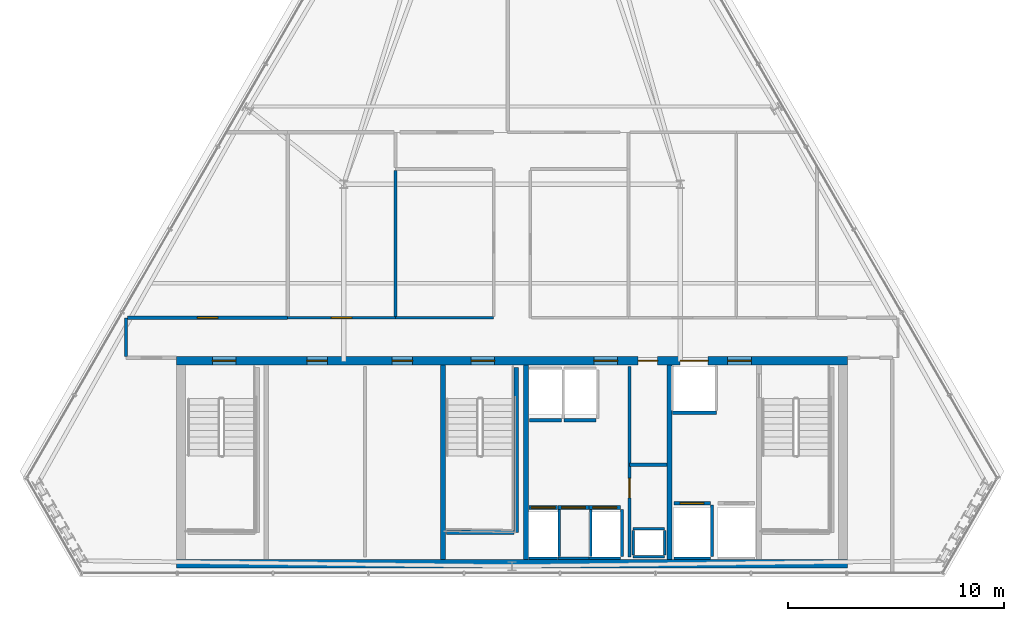
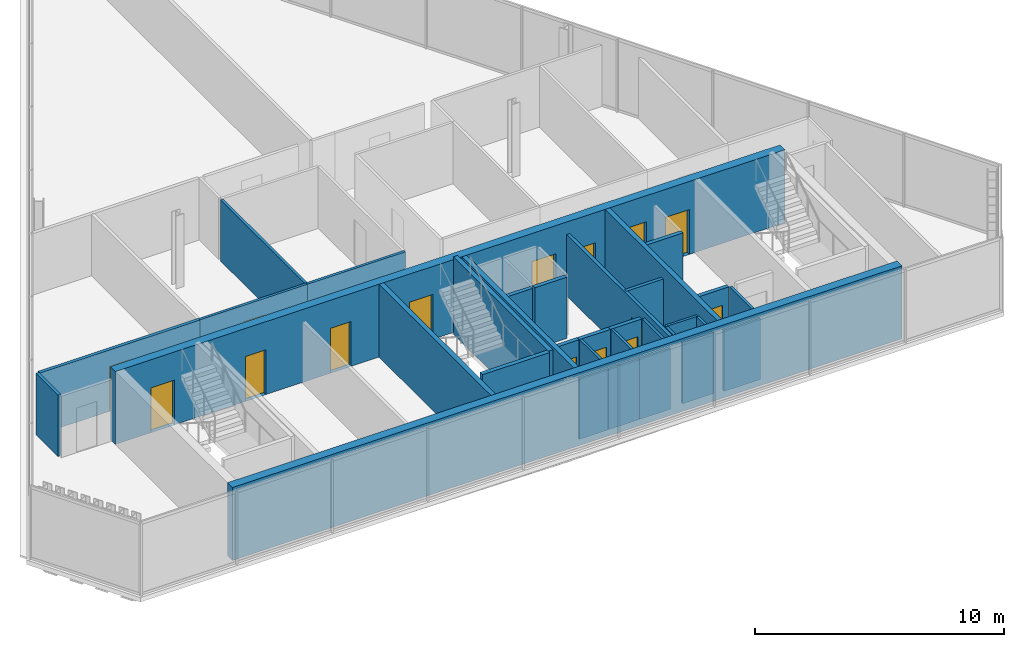
# One storey, part 30 of 35: 33 walls, 15 doors, 15 openings.
"""IFC4 building model written with IfcOpenShell, lengths in metres."""

from ifc_helpers import new_model, si_unit, direction, frame, frame_2d, origin, place, context, subcontext, project, spatial, rectangle, extrude, material, layer, layer_set, type_object, element, fill, save


model = new_model("IFC4")

# Units and contexts
model_context = context("Model", 3, precision=1e-05, world=origin(), true_north=direction((0.0, 1.0)))
body_context = subcontext(model_context, "Body", "Model", "MODEL_VIEW")
ifc_project = project(units=[si_unit("LENGTHUNIT", "METRE"), si_unit("AREAUNIT", "SQUARE_METRE"), si_unit("VOLUMEUNIT", "CUBIC_METRE"), si_unit("PLANEANGLEUNIT", "RADIAN"), si_unit("MASSUNIT", "GRAM", prefix="KILO")], contexts=[model_context])

# Site, building, storey
site_placement = place(None, origin())
site = spatial("IfcSite", under=ifc_project, at=site_placement, CompositionType="ELEMENT")
building_placement = place(site_placement, origin())
building = spatial("IfcBuilding", under=site, at=building_placement, Name="Ndaravel Arena Tower", CompositionType="ELEMENT")
storey_placement = place(building_placement, frame((0.0, 0.0, 271.199951171875)))
storey = spatial("IfcBuildingStorey", under=building, at=storey_placement, Name="L66", CompositionType="ELEMENT", Elevation=271.199951171875)

# Wall, opening, door
ifc_material_1 = material(Name="Gypsum", Category="gypsum")
ifc_layer_1 = layer(ifc_material_1, 0.14990234375)
ifc_layer_set_1 = layer_set([ifc_layer_1], Name="Gypsum")
wall_type_1 = type_object("IfcWallType", Name="WALL-COMP-150", PredefinedType="PARTITIONING", material=ifc_layer_set_1)
wall_1_placement = place(storey_placement, frame((47.449951171875, 5.89990234375, 0.0), z_axis=(0.0, 0.0, 1.0), x_axis=(0.0, 1.0, 0.0)))
wall_1 = element("IfcWall", 1, at=wall_1_placement, inside=storey, type_object=wall_type_1, Name="L66 Core Riser Bay Partition", PredefinedType="PARTITIONING", context=body_context, shape_type="SweptSolid", body=[
    extrude(rectangle(XDim=8.85009765625, YDim=0.14990234375, at=frame_2d((4.425048828125, 0.0))), origin(), (0.0, 0.0, 1.0), 3.010498046875),
])
opening_1_placement = place(wall_1_placement, frame((2.75, 0.0, 0.0)))
opening_1 = element("IfcOpeningElement", 2, at=opening_1_placement, cuts=wall_1, Name="Opening RD-01", PredefinedType="OPENING", context=body_context, shape_type="SweptSolid", body=[
    extrude(rectangle(XDim=0.89990234375, YDim=2.10009765625, at=frame_2d((0.449951171875, 1.050048828125))), frame((0.0, 0.074951171875, 0.0), z_axis=(0.0, -1.0, 0.0), x_axis=(1.0, 0.0, 0.0)), (0.0, 0.0, 1.0), 0.14990234375),
])
ifc_material_2 = material(Name="Steel S355", Category="steel")
door_type_1 = type_object("IfcDoorType", Name="DT-08-RISER-900", OperationType="SINGLE_SWING_LEFT", PredefinedType="DOOR", material=ifc_material_2)
door_1_placement = place(opening_1_placement, origin())
door_1 = element("IfcDoor", 3, at=door_1_placement, inside=storey, type_object=door_type_1, Name="L66 Electrical Riser Door", OperationType="SINGLE_SWING_RIGHT", OverallHeight=2.10009765625, OverallWidth=0.89990234375, PredefinedType="DOOR", context=body_context, shape_type="SweptSolid", body=[
    extrude(rectangle(XDim=0.89990234375, YDim=2.10009765625, at=frame_2d((0.449951171875, 1.050048828125))), frame((0.0, 0.02490234375, 0.0), z_axis=(0.0, -1.0, 0.0), x_axis=(1.0, 0.0, 0.0)), (0.0, 0.0, 1.0), 0.050048828125),
])
fill(opening_1, door_1)

# Walls
wall_2_placement = place(storey_placement, frame((47.449951171875, 10.179931640625, 0.0), z_axis=(0.0, 0.0, 1.0), x_axis=(1.0, 0.0, 0.0)))
element("IfcWall", 4, at=wall_2_placement, inside=storey, type_object=wall_type_1, Name="L66 Core Riser Divider 1", PredefinedType="PARTITIONING", context=body_context, shape_type="SweptSolid", body=[
    extrude(rectangle(XDim=1.72998046875, YDim=0.14990234375, at=frame_2d((0.864990234375, 0.0))), origin(), (0.0, 0.0, 1.0), 3.010498046875),
])
ifc_material_3 = material(Name="Concrete C50/60", Category="concrete")
ifc_layer_2 = layer(ifc_material_3, 0.219970703125)
ifc_layer_set_2 = layer_set([ifc_layer_2], Name="Concrete C50/60")
wall_type_2 = type_object("IfcWallType", Name="WALL-CORE-220", PredefinedType="SOLIDWALL", material=ifc_layer_set_2)
for number, where, z_axis, x_axis, name in (
    (5, (38.800048828125, 5.800048828125, 0.0), (0.0, 0.0, 1.0), (0.0, 1.0, 0.0), "L66 Core Web Shear Wall 2"),
    (6, (42.64990234375, 5.800048828125, 0.0), (0.0, 0.0, 1.0), (0.0, 1.0, 0.0), "L66 Core Web Shear Wall 3"),
    (7, (49.300048828125, 5.800048828125, 0.0), (0.0, 0.0, 1.0), (0.0, 1.0, 0.0), "L66 Core Web Shear Wall 4"),
):
    element("IfcWall", number, at=place(storey_placement, frame(where, z_axis=z_axis, x_axis=x_axis)), inside=storey, type_object=wall_type_2, Name=name, PredefinedType="SOLIDWALL", context=body_context, shape_type="SweptSolid", body=[
        extrude(rectangle(XDim=9.0, YDim=0.219970703125, at=frame_2d((4.5, 0.0))), origin(), (0.0, 0.0, 1.0), 3.580078125),
    ])

# Wall, openings, doors
ifc_material_4 = material(Name="Concrete C50/60", Category="concrete")
ifc_layer_3 = layer(ifc_material_4, 0.39990234375)
ifc_layer_set_3 = layer_set([ifc_layer_3], Name="Concrete C50/60")
wall_type_3 = type_object("IfcWallType", Name="WALL-CORE-400", PredefinedType="SOLIDWALL", material=ifc_layer_set_3)
wall_3_placement = place(storey_placement, frame((26.449951171875, 15.0, 0.0), z_axis=(0.0, 0.0, 1.0), x_axis=(1.0, 0.0, 0.0)))
wall_3 = element("IfcWall", 8, at=wall_3_placement, inside=storey, type_object=wall_type_3, Name="L66 Core North Shear Wall", PredefinedType="SOLIDWALL", context=body_context, shape_type="SweptSolid", body=[
    extrude(rectangle(XDim=31.10009765625, YDim=0.39990234375, at=frame_2d((15.550048828125, 0.0))), origin(), (0.0, 0.0, 1.0), 3.580078125),
])
opening_2_placement = place(wall_3_placement, frame((1.64990234375, 0.0, 0.0)))
opening_2 = element("IfcOpeningElement", 9, at=opening_2_placement, cuts=wall_3, Name="Opening FD-01", PredefinedType="OPENING", context=body_context, shape_type="SweptSolid", body=[
    extrude(rectangle(XDim=1.10009765625, YDim=2.199951171875, at=frame_2d((0.550048828125, 1.10009765625))), frame((0.0, 0.199951171875, 0.0), z_axis=(0.0, -1.0, 0.0), x_axis=(1.0, 0.0, 0.0)), (0.0, 0.0, 1.0), 0.39990234375),
])
opening_3_placement = place(wall_3_placement, frame((13.64990234375, 0.0, 0.0)))
opening_3 = element("IfcOpeningElement", 10, at=opening_3_placement, cuts=wall_3, Name="Opening FD-01", PredefinedType="OPENING", context=body_context, shape_type="SweptSolid", body=[
    extrude(rectangle(XDim=1.10009765625, YDim=2.199951171875, at=frame_2d((0.550048828125, 1.10009765625))), frame((0.0, 0.199951171875, 0.0), z_axis=(0.0, -1.0, 0.0), x_axis=(1.0, 0.0, 0.0)), (0.0, 0.0, 1.0), 0.39990234375),
])
opening_4_placement = place(wall_3_placement, frame((25.550048828125, 0.0, 0.0)))
opening_4 = element("IfcOpeningElement", 11, at=opening_4_placement, cuts=wall_3, Name="Opening FD-01", PredefinedType="OPENING", context=body_context, shape_type="SweptSolid", body=[
    extrude(rectangle(XDim=1.10009765625, YDim=2.199951171875, at=frame_2d((0.550048828125, 1.10009765625))), frame((0.0, 0.199951171875, 0.0), z_axis=(0.0, -1.0, 0.0), x_axis=(1.0, 0.0, 0.0)), (0.0, 0.0, 1.0), 0.39990234375),
])
opening_5_placement = place(wall_3_placement, frame((19.35009765625, 0.0, 0.0)))
opening_5 = element("IfcOpeningElement", 12, at=opening_5_placement, cuts=wall_3, Name="Opening FD-01", PredefinedType="OPENING", context=body_context, shape_type="SweptSolid", body=[
    extrude(rectangle(XDim=1.10009765625, YDim=2.199951171875, at=frame_2d((0.550048828125, 1.10009765625))), frame((0.0, 0.199951171875, 0.0), z_axis=(0.0, -1.0, 0.0), x_axis=(1.0, 0.0, 0.0)), (0.0, 0.0, 1.0), 0.39990234375),
])
opening_6_placement = place(wall_3_placement, frame((21.39990234375, 0.0, 0.0)))
opening_6 = element("IfcOpeningElement", 13, at=opening_6_placement, cuts=wall_3, Name="Opening RD-01", PredefinedType="OPENING", context=body_context, shape_type="SweptSolid", body=[
    extrude(rectangle(XDim=0.89990234375, YDim=2.10009765625, at=frame_2d((0.449951171875, 1.050048828125))), frame((0.0, 0.199951171875, 0.0), z_axis=(0.0, -1.0, 0.0), x_axis=(1.0, 0.0, 0.0)), (0.0, 0.0, 1.0), 0.39990234375),
])
opening_7_placement = place(wall_3_placement, frame((6.0400390625, 0.0, 0.0)))
opening_7 = element("IfcOpeningElement", 14, at=opening_7_placement, cuts=wall_3, Name="Opening FD-03", PredefinedType="OPENING", context=body_context, shape_type="SweptSolid", body=[
    extrude(rectangle(XDim=0.949951171875, YDim=2.199951171875, at=frame_2d((0.47509765625, 1.10009765625))), frame((0.0, 0.199951171875, 0.0), z_axis=(0.0, -1.0, 0.0), x_axis=(1.0, 0.0, 0.0)), (0.0, 0.0, 1.0), 0.39990234375),
])
opening_8_placement = place(wall_3_placement, frame((9.989990234375, 0.0, 0.0)))
opening_8 = element("IfcOpeningElement", 15, at=opening_8_placement, cuts=wall_3, Name="Opening FD-03", PredefinedType="OPENING", context=body_context, shape_type="SweptSolid", body=[
    extrude(rectangle(XDim=0.949951171875, YDim=2.199951171875, at=frame_2d((0.47509765625, 1.10009765625))), frame((0.0, 0.199951171875, 0.0), z_axis=(0.0, -1.0, 0.0), x_axis=(1.0, 0.0, 0.0)), (0.0, 0.0, 1.0), 0.39990234375),
])
opening_9_placement = place(wall_3_placement, frame((23.35009765625, 0.0, 0.0)))
opening_9 = element("IfcOpeningElement", 16, at=opening_9_placement, cuts=wall_3, Name="Opening LD-02", PredefinedType="OPENING", context=body_context, shape_type="SweptSolid", body=[
    extrude(rectangle(XDim=1.300048828125, YDim=2.300048828125, at=frame_2d((0.64990234375, 1.14990234375))), frame((0.0, 0.199951171875, 0.0), z_axis=(0.0, -1.0, 0.0), x_axis=(1.0, 0.0, 0.0)), (0.0, 0.0, 1.0), 0.39990234375),
])
ifc_material_5 = material(Name="Steel S355", Category="steel")
door_type_2 = type_object("IfcDoorType", Name="DT-01-STAIR-1100", OperationType="SINGLE_SWING_LEFT", PredefinedType="DOOR", material=ifc_material_5)
door_2_placement = place(opening_2_placement, origin())
door_2 = element("IfcDoor", 17, at=door_2_placement, inside=storey, type_object=door_type_2, Name="L66 Exit Stair ST-1 Door", OperationType="SINGLE_SWING_LEFT", OverallHeight=2.199951171875, OverallWidth=1.10009765625, PredefinedType="DOOR", context=body_context, shape_type="SweptSolid", body=[
    extrude(rectangle(XDim=1.10009765625, YDim=2.199951171875, at=frame_2d((0.550048828125, 1.10009765625))), frame((0.0, 0.02490234375, 0.0), z_axis=(0.0, -1.0, 0.0), x_axis=(1.0, 0.0, 0.0)), (0.0, 0.0, 1.0), 0.050048828125),
])
fill(opening_2, door_2)
door_3_placement = place(opening_3_placement, origin())
door_3 = element("IfcDoor", 18, at=door_3_placement, inside=storey, type_object=door_type_2, Name="L66 Exit Stair ST-2 Door", OperationType="SINGLE_SWING_RIGHT", OverallHeight=2.199951171875, OverallWidth=1.10009765625, PredefinedType="DOOR", context=body_context, shape_type="SweptSolid", body=[
    extrude(rectangle(XDim=1.10009765625, YDim=2.199951171875, at=frame_2d((0.550048828125, 1.10009765625))), frame((0.0, 0.02490234375, 0.0), z_axis=(0.0, -1.0, 0.0), x_axis=(1.0, 0.0, 0.0)), (0.0, 0.0, 1.0), 0.050048828125),
])
fill(opening_3, door_3)
door_4_placement = place(opening_4_placement, origin())
door_4 = element("IfcDoor", 19, at=door_4_placement, inside=storey, type_object=door_type_2, Name="L66 Firefighting Lift Lobby Door", OperationType="SINGLE_SWING_RIGHT", OverallHeight=2.199951171875, OverallWidth=1.10009765625, PredefinedType="DOOR", context=body_context, shape_type="SweptSolid", body=[
    extrude(rectangle(XDim=1.10009765625, YDim=2.199951171875, at=frame_2d((0.550048828125, 1.10009765625))), frame((0.0, 0.02490234375, 0.0), z_axis=(0.0, -1.0, 0.0), x_axis=(1.0, 0.0, 0.0)), (0.0, 0.0, 1.0), 0.050048828125),
])
fill(opening_4, door_4)
door_5_placement = place(opening_5_placement, origin())
door_5 = element("IfcDoor", 20, at=door_5_placement, inside=storey, type_object=door_type_2, Name="L66 Express Lift Lobby Entry Door", OperationType="SINGLE_SWING_LEFT", OverallHeight=2.199951171875, OverallWidth=1.10009765625, PredefinedType="DOOR", context=body_context, shape_type="SweptSolid", body=[
    extrude(rectangle(XDim=1.10009765625, YDim=2.199951171875, at=frame_2d((0.550048828125, 1.10009765625))), frame((0.0, 0.02490234375, 0.0), z_axis=(0.0, -1.0, 0.0), x_axis=(1.0, 0.0, 0.0)), (0.0, 0.0, 1.0), 0.050048828125),
])
fill(opening_5, door_5)
ifc_material_6 = material(Name="Steel S355", Category="steel")
door_type_3 = type_object("IfcDoorType", Name="DT-07-SVLIFT-1300", OperationType="DOUBLE_DOOR_SLIDING", PredefinedType="DOOR", material=ifc_material_6)
door_6_placement = place(opening_9_placement, origin())
door_6 = element("IfcDoor", 21, at=door_6_placement, inside=storey, type_object=door_type_3, Name="L66 Lift SVL-1 Sliding Landing Door", OperationType="DOUBLE_DOOR_SLIDING", OverallHeight=2.300048828125, OverallWidth=1.300048828125, PredefinedType="DOOR", context=body_context, shape_type="SweptSolid", body=[
    extrude(rectangle(XDim=1.300048828125, YDim=2.300048828125, at=frame_2d((0.64990234375, 1.14990234375))), frame((0.0, 0.02490234375, 0.0), z_axis=(0.0, -1.0, 0.0), x_axis=(1.0, 0.0, 0.0)), (0.0, 0.0, 1.0), 0.050048828125),
])
fill(opening_9, door_6)
door_7_placement = place(opening_6_placement, origin())
door_7 = element("IfcDoor", 22, at=door_7_placement, inside=storey, type_object=door_type_1, Name="L66 Core Service Riser North Door", OperationType="SINGLE_SWING_LEFT", OverallHeight=2.10009765625, OverallWidth=0.89990234375, PredefinedType="DOOR", context=body_context, shape_type="SweptSolid", body=[
    extrude(rectangle(XDim=0.89990234375, YDim=2.10009765625, at=frame_2d((0.449951171875, 1.050048828125))), frame((0.0, 0.02490234375, 0.0), z_axis=(0.0, -1.0, 0.0), x_axis=(1.0, 0.0, 0.0)), (0.0, 0.0, 1.0), 0.050048828125),
])
fill(opening_6, door_7)
ifc_material_7 = material(Name="Steel S355", Category="steel")
door_type_4 = type_object("IfcDoorType", Name="DT-11-CORE-950", OperationType="SINGLE_SWING_LEFT", PredefinedType="DOOR", material=ifc_material_7)
door_8_placement = place(opening_7_placement, origin())
door_8 = element("IfcDoor", 23, at=door_8_placement, inside=storey, type_object=door_type_4, Name="L66 High-Zone Reclaimed Core Room 1 Door", OperationType="SINGLE_SWING_LEFT", OverallHeight=2.199951171875, OverallWidth=0.949951171875, PredefinedType="DOOR", context=body_context, shape_type="SweptSolid", body=[
    extrude(rectangle(XDim=0.949951171875, YDim=2.199951171875, at=frame_2d((0.47509765625, 1.10009765625))), frame((0.0, 0.02490234375, 0.0), z_axis=(0.0, -1.0, 0.0), x_axis=(1.0, 0.0, 0.0)), (0.0, 0.0, 1.0), 0.050048828125),
])
fill(opening_7, door_8)
door_9_placement = place(opening_8_placement, origin())
door_9 = element("IfcDoor", 24, at=door_9_placement, inside=storey, type_object=door_type_4, Name="L66 High-Zone Reclaimed Core Room 2 Door", OperationType="SINGLE_SWING_RIGHT", OverallHeight=2.199951171875, OverallWidth=0.949951171875, PredefinedType="DOOR", context=body_context, shape_type="SweptSolid", body=[
    extrude(rectangle(XDim=0.949951171875, YDim=2.199951171875, at=frame_2d((0.47509765625, 1.10009765625))), frame((0.0, 0.02490234375, 0.0), z_axis=(0.0, -1.0, 0.0), x_axis=(1.0, 0.0, 0.0)), (0.0, 0.0, 1.0), 0.050048828125),
])
fill(opening_8, door_9)

# Wall
wall_4_placement = place(storey_placement, frame((26.449951171875, 5.60009765625, 0.0), z_axis=(0.0, 0.0, 1.0), x_axis=(1.0, 0.0, 0.0)))
element("IfcWall", 25, at=wall_4_placement, inside=storey, type_object=wall_type_3, Name="L66 Core South Shear Wall", PredefinedType="SOLIDWALL", context=body_context, shape_type="SweptSolid", body=[
    extrude(rectangle(XDim=31.10009765625, YDim=0.39990234375, at=frame_2d((15.550048828125, 0.0))), origin(), (0.0, 0.0, 1.0), 3.580078125),
])

# Wall, opening, door
ifc_material_8 = material(Name="Gypsum", Category="gypsum")
ifc_layer_4 = layer(ifc_material_8, 0.125)
ifc_layer_set_4 = layer_set([ifc_layer_4], Name="Gypsum")
wall_type_4 = type_object("IfcWallType", Name="WALL-PART-125", PredefinedType="PARTITIONING", material=ifc_layer_set_4)
wall_5_placement = place(storey_placement, frame((31.60009765625, 17.0, 0.0), z_axis=(0.0, 0.0, 1.0), x_axis=(1.0, 0.0, 0.0)))
wall_5 = element("IfcWall", 26, at=wall_5_placement, inside=storey, type_object=wall_type_4, Name="L66 Interior Partition 006", PredefinedType="PARTITIONING", context=body_context, shape_type="SweptSolid", body=[
    extrude(rectangle(XDim=5.0, YDim=0.125, at=frame_2d((2.5, 0.0))), origin(), (0.0, 0.0, 1.0), 3.010498046875),
])
opening_10_placement = place(wall_5_placement, frame((2.02490234375, 0.0, 0.0)))
opening_10 = element("IfcOpeningElement", 27, at=opening_10_placement, cuts=wall_5, Name="Opening ID-01", PredefinedType="OPENING", context=body_context, shape_type="SweptSolid", body=[
    extrude(rectangle(XDim=0.949951171875, YDim=2.199951171875, at=frame_2d((0.47509765625, 1.10009765625))), frame((0.0, 0.0625, 0.0), z_axis=(0.0, -1.0, 0.0), x_axis=(1.0, 0.0, 0.0)), (0.0, 0.0, 1.0), 0.125),
])
ifc_material_9 = material(Name="Timber", Category="wood")
door_type_5 = type_object("IfcDoorType", Name="DT-03-OFFICE-950", OperationType="SINGLE_SWING_LEFT", PredefinedType="DOOR", material=ifc_material_9)
door_10_placement = place(opening_10_placement, origin())
door_10 = element("IfcDoor", 28, at=door_10_placement, inside=storey, type_object=door_type_5, Name="L66 Refreshment Kiosk 2 Door", OperationType="SINGLE_SWING_LEFT", OverallHeight=2.199951171875, OverallWidth=0.949951171875, PredefinedType="DOOR", context=body_context, shape_type="SweptSolid", body=[
    extrude(rectangle(XDim=0.949951171875, YDim=2.199951171875, at=frame_2d((0.47509765625, 1.10009765625))), frame((0.0, 0.02490234375, 0.0), z_axis=(0.0, -1.0, 0.0), x_axis=(1.0, 0.0, 0.0)), (0.0, 0.0, 1.0), 0.050048828125),
])
fill(opening_10, door_10)

# Walls
wall_6_placement = place(storey_placement, frame((36.60009765625, 17.0, 0.0), z_axis=(0.0, 0.0, 1.0), x_axis=(1.0, 0.0, 0.0)))
element("IfcWall", 29, at=wall_6_placement, inside=storey, type_object=wall_type_4, Name="L66 Interior Partition 007", PredefinedType="PARTITIONING", context=body_context, shape_type="SweptSolid", body=[
    extrude(rectangle(XDim=4.5498046875, YDim=0.125, at=frame_2d((2.27490234375, 0.0))), origin(), (0.0, 0.0, 1.0), 3.010498046875),
])
wall_7_placement = place(storey_placement, frame((36.60009765625, 17.06494140625, 0.0), z_axis=(0.0, 0.0, 1.0), x_axis=(0.0, 1.0, 0.0)))
element("IfcWall", 30, at=wall_7_placement, inside=storey, type_object=wall_type_4, Name="L66 Interior Partition 023", PredefinedType="PARTITIONING", context=body_context, shape_type="SweptSolid", body=[
    extrude(rectangle(XDim=6.77001953125, YDim=0.125, at=frame_2d((3.385009765625, 0.0))), origin(), (0.0, 0.0, 1.0), 3.010498046875),
])
ifc_material_10 = material(Name="Concrete C40/50", Category="concrete")
ifc_layer_5 = layer(ifc_material_10, 0.1201171875)
ifc_layer_set_5 = layer_set([ifc_layer_5], Name="Concrete C40/50")
wall_type_5 = type_object("IfcWallType", Name="WALL-SHAFT-120", PredefinedType="SOLIDWALL", material=ifc_layer_set_5)
for number, where, z_axis, x_axis, name in (
    (31, (47.6201171875, 5.919921875, 0.0), (0.0, 0.0, 1.0), (1.0, 0.0, 0.0), "L66 MEP Riser Shaft S Wall"),
    (32, (47.6201171875, 7.219970703125, 0.0), (0.0, 0.0, 1.0), (1.0, 0.0, 0.0), "L66 MEP Riser Shaft N Wall"),
):
    element("IfcWall", number, at=place(storey_placement, frame(where, z_axis=z_axis, x_axis=x_axis)), inside=storey, type_object=wall_type_5, Name=name, PredefinedType="SOLIDWALL", context=body_context, shape_type="SweptSolid", body=[
        extrude(rectangle(XDim=1.4599609375, YDim=0.1201171875, at=frame_2d((0.72998046875, 0.0))), origin(), (0.0, 0.0, 1.0), 3.010498046875),
    ])
for number, where, z_axis, x_axis, name in (
    (33, (47.6201171875, 6.0, 0.0), (0.0, 0.0, 1.0), (0.0, 1.0, 0.0), "L66 MEP Riser Shaft W Wall"),
    (34, (49.080078125, 6.0, 0.0), (0.0, 0.0, 1.0), (0.0, 1.0, 0.0), "L66 MEP Riser Shaft E Wall"),
):
    element("IfcWall", number, at=place(storey_placement, frame(where, z_axis=z_axis, x_axis=x_axis)), inside=storey, type_object=wall_type_5, Name=name, PredefinedType="SOLIDWALL", context=body_context, shape_type="SweptSolid", body=[
        extrude(rectangle(XDim=1.139892578125, YDim=0.1201171875, at=frame_2d((0.56982421875, 0.0))), origin(), (0.0, 0.0, 1.0), 3.010498046875),
    ])
wall_8_placement = place(storey_placement, frame((42.780029296875, 5.840087890625, 0.0), z_axis=(0.0, 0.0, 1.0), x_axis=(1.0, 0.0, 0.0)))
element("IfcWall", 35, at=wall_8_placement, inside=storey, type_object=wall_type_5, Name="L66 PL-H1 Shaft Rear Wall", PredefinedType="SOLIDWALL", context=body_context, shape_type="SweptSolid", body=[
    extrude(rectangle(XDim=1.340087890625, YDim=0.1201171875, at=frame_2d((0.669921875, 0.0))), origin(), (0.0, 0.0, 1.0), 3.010498046875),
])
wall_9_placement = place(storey_placement, frame((44.199951171875, 5.929931640625, 0.0), z_axis=(0.0, 0.0, 1.0), x_axis=(0.0, 1.0, 0.0)))
element("IfcWall", 36, at=wall_9_placement, inside=storey, type_object=wall_type_5, Name="L66 PL-H1 Shaft Side R Wall", PredefinedType="SOLIDWALL", context=body_context, shape_type="SweptSolid", body=[
    extrude(rectangle(XDim=2.18017578125, YDim=0.1201171875, at=frame_2d((1.090087890625, 0.0))), origin(), (0.0, 0.0, 1.0), 3.010498046875),
])
wall_10_placement = place(storey_placement, frame((44.1298828125, 5.840087890625, 0.0), z_axis=(0.0, 0.0, 1.0), x_axis=(1.0, 0.0, 0.0)))
element("IfcWall", 37, at=wall_10_placement, inside=storey, type_object=wall_type_5, Name="L66 PL-H2 Shaft Rear Wall", PredefinedType="SOLIDWALL", context=body_context, shape_type="SweptSolid", body=[
    extrude(rectangle(XDim=1.440185546875, YDim=0.1201171875, at=frame_2d((0.72021484375, 0.0))), origin(), (0.0, 0.0, 1.0), 3.010498046875),
])
wall_11_placement = place(storey_placement, frame((45.64990234375, 5.929931640625, 0.0), z_axis=(0.0, 0.0, 1.0), x_axis=(0.0, 1.0, 0.0)))
element("IfcWall", 38, at=wall_11_placement, inside=storey, type_object=wall_type_5, Name="L66 PL-H2 Shaft Side R Wall", PredefinedType="SOLIDWALL", context=body_context, shape_type="SweptSolid", body=[
    extrude(rectangle(XDim=2.18017578125, YDim=0.1201171875, at=frame_2d((1.090087890625, 0.0))), origin(), (0.0, 0.0, 1.0), 3.010498046875),
])
wall_12_placement = place(storey_placement, frame((45.580078125, 5.840087890625, 0.0), z_axis=(0.0, 0.0, 1.0), x_axis=(1.0, 0.0, 0.0)))
element("IfcWall", 39, at=wall_12_placement, inside=storey, type_object=wall_type_5, Name="L66 PL-H3 Shaft Rear Wall", PredefinedType="SOLIDWALL", context=body_context, shape_type="SweptSolid", body=[
    extrude(rectangle(XDim=1.43994140625, YDim=0.1201171875, at=frame_2d((0.719970703125, 0.0))), origin(), (0.0, 0.0, 1.0), 3.010498046875),
])
wall_13_placement = place(storey_placement, frame((47.10009765625, 5.929931640625, 0.0), z_axis=(0.0, 0.0, 1.0), x_axis=(0.0, 1.0, 0.0)))
element("IfcWall", 40, at=wall_13_placement, inside=storey, type_object=wall_type_5, Name="L66 PL-H3 Shaft Side R Wall", PredefinedType="SOLIDWALL", context=body_context, shape_type="SweptSolid", body=[
    extrude(rectangle(XDim=2.18017578125, YDim=0.1201171875, at=frame_2d((1.090087890625, 0.0))), origin(), (0.0, 0.0, 1.0), 3.010498046875),
])
wall_14_placement = place(storey_placement, frame((49.5048828125, 5.840087890625, 0.0), z_axis=(0.0, 0.0, 1.0), x_axis=(1.0, 0.0, 0.0)))
element("IfcWall", 41, at=wall_14_placement, inside=storey, type_object=wall_type_5, Name="L66 FFL-1 Shaft Rear Wall", PredefinedType="SOLIDWALL", context=body_context, shape_type="SweptSolid", body=[
    extrude(rectangle(XDim=1.690185546875, YDim=0.1201171875, at=frame_2d((0.84521484375, 0.0))), origin(), (0.0, 0.0, 1.0), 3.010498046875),
])
wall_15_placement = place(storey_placement, frame((51.27490234375, 5.929931640625, 0.0), z_axis=(0.0, 0.0, 1.0), x_axis=(0.0, 1.0, 0.0)))
element("IfcWall", 42, at=wall_15_placement, inside=storey, type_object=wall_type_5, Name="L66 FFL-1 Shaft Side R Wall", PredefinedType="SOLIDWALL", context=body_context, shape_type="SweptSolid", body=[
    extrude(rectangle(XDim=2.380126953125, YDim=0.1201171875, at=frame_2d((1.18994140625, 0.0))), origin(), (0.0, 0.0, 1.0), 3.010498046875),
])
ifc_material_11 = material(Name="Concrete C40/50", Category="concrete")
ifc_layer_6 = layer(ifc_material_11, 0.199951171875)
ifc_layer_set_6 = layer_set([ifc_layer_6], Name="Concrete C40/50")
wall_type_6 = type_object("IfcWallType", Name="WALL-SHAFT-200", PredefinedType="SOLIDWALL", material=ifc_layer_set_6)
wall_16_placement = place(storey_placement, frame((42.18994140625, 14.699951171875, 0.0), z_axis=(0.0, 0.0, 1.0), x_axis=(0.0, -1.0, 0.0)))
element("IfcWall", 43, at=wall_16_placement, inside=storey, type_object=wall_type_6, Name="L66 ST-2 Structural Shaft Wall Right", PredefinedType="SOLIDWALL", context=body_context, shape_type="SweptSolid", body=[
    extrude(rectangle(XDim=7.64990234375, YDim=0.199951171875, at=frame_2d((3.824951171875, 0.0))), origin(), (0.0, 0.0, 1.0), 3.800048828125),
])
wall_17_placement = place(storey_placement, frame((38.969970703125, 7.050048828125, 0.0), z_axis=(0.0, 0.0, 1.0), x_axis=(1.0, 0.0, 0.0)))
element("IfcWall", 44, at=wall_17_placement, inside=storey, type_object=wall_type_6, Name="L66 ST-2 Structural Shaft Wall Far", PredefinedType="SOLIDWALL", context=body_context, shape_type="SweptSolid", body=[
    extrude(rectangle(XDim=3.114990234375, YDim=0.199951171875, at=frame_2d((1.5576171875, 0.0))), origin(), (0.0, 0.0, 1.0), 3.800048828125),
])

# Wall, opening, door
wall_18_placement = place(storey_placement, frame((42.780029296875, 8.199951171875, 0.0), z_axis=(0.0, 0.0, 1.0), x_axis=(1.0, 0.0, 0.0)))
wall_18 = element("IfcWall", 45, at=wall_18_placement, inside=storey, type_object=wall_type_6, Name="L66 PL-H1 Shaft Landing Wall", PredefinedType="SOLIDWALL", context=body_context, shape_type="SweptSolid", body=[
    extrude(rectangle(XDim=1.340087890625, YDim=0.179931640625, at=frame_2d((0.669921875, 0.0))), origin(), (0.0, 0.0, 1.0), 3.010498046875),
])
opening_11_placement = place(wall_18_placement, frame((0.1201171875, 0.0, 0.0)))
opening_11 = element("IfcOpeningElement", 46, at=opening_11_placement, cuts=wall_18, Name="Opening LD-01", PredefinedType="OPENING", context=body_context, shape_type="SweptSolid", body=[
    extrude(rectangle(XDim=1.10009765625, YDim=2.199951171875, at=frame_2d((0.550048828125, 1.10009765625))), frame((0.0, 0.08984375, 0.0), z_axis=(0.0, -1.0, 0.0), x_axis=(1.0, 0.0, 0.0)), (0.0, 0.0, 1.0), 0.179931640625),
])
ifc_material_12 = material(Name="Steel S355", Category="steel")
door_type_6 = type_object("IfcDoorType", Name="DT-06-LIFT-1100", OperationType="SLIDING_TO_LEFT", PredefinedType="DOOR", material=ifc_material_12)
door_11_placement = place(opening_11_placement, origin())
door_11 = element("IfcDoor", 47, at=door_11_placement, inside=storey, type_object=door_type_6, Name="L66 Lift PL-H1 Sliding Landing Door", OperationType="SLIDING_TO_LEFT", OverallHeight=2.199951171875, OverallWidth=1.10009765625, PredefinedType="DOOR", context=body_context, shape_type="SweptSolid", body=[
    extrude(rectangle(XDim=1.10009765625, YDim=2.199951171875, at=frame_2d((0.550048828125, 1.10009765625))), frame((0.0, 0.02490234375, 0.0), z_axis=(0.0, -1.0, 0.0), x_axis=(1.0, 0.0, 0.0)), (0.0, 0.0, 1.0), 0.050048828125),
])
fill(opening_11, door_11)

wall_19_placement = place(storey_placement, frame((44.1298828125, 8.199951171875, 0.0), z_axis=(0.0, 0.0, 1.0), x_axis=(1.0, 0.0, 0.0)))
wall_19 = element("IfcWall", 48, at=wall_19_placement, inside=storey, type_object=wall_type_6, Name="L66 PL-H2 Shaft Landing Wall", PredefinedType="SOLIDWALL", context=body_context, shape_type="SweptSolid", body=[
    extrude(rectangle(XDim=1.440185546875, YDim=0.179931640625, at=frame_2d((0.72021484375, 0.0))), origin(), (0.0, 0.0, 1.0), 3.010498046875),
])
opening_12_placement = place(wall_19_placement, frame((0.169921875, 0.0, 0.0)))
opening_12 = element("IfcOpeningElement", 49, at=opening_12_placement, cuts=wall_19, Name="Opening LD-01", PredefinedType="OPENING", context=body_context, shape_type="SweptSolid", body=[
    extrude(rectangle(XDim=1.10009765625, YDim=2.199951171875, at=frame_2d((0.550048828125, 1.10009765625))), frame((0.0, 0.08984375, 0.0), z_axis=(0.0, -1.0, 0.0), x_axis=(1.0, 0.0, 0.0)), (0.0, 0.0, 1.0), 0.179931640625),
])
door_12_placement = place(opening_12_placement, origin())
door_12 = element("IfcDoor", 50, at=door_12_placement, inside=storey, type_object=door_type_6, Name="L66 Lift PL-H2 Sliding Landing Door", OperationType="SLIDING_TO_LEFT", OverallHeight=2.199951171875, OverallWidth=1.10009765625, PredefinedType="DOOR", context=body_context, shape_type="SweptSolid", body=[
    extrude(rectangle(XDim=1.10009765625, YDim=2.199951171875, at=frame_2d((0.550048828125, 1.10009765625))), frame((0.0, 0.02490234375, 0.0), z_axis=(0.0, -1.0, 0.0), x_axis=(1.0, 0.0, 0.0)), (0.0, 0.0, 1.0), 0.050048828125),
])
fill(opening_12, door_12)

wall_20_placement = place(storey_placement, frame((45.580078125, 8.199951171875, 0.0), z_axis=(0.0, 0.0, 1.0), x_axis=(1.0, 0.0, 0.0)))
wall_20 = element("IfcWall", 51, at=wall_20_placement, inside=storey, type_object=wall_type_6, Name="L66 PL-H3 Shaft Landing Wall", PredefinedType="SOLIDWALL", context=body_context, shape_type="SweptSolid", body=[
    extrude(rectangle(XDim=1.43994140625, YDim=0.179931640625, at=frame_2d((0.719970703125, 0.0))), origin(), (0.0, 0.0, 1.0), 3.010498046875),
])
opening_13_placement = place(wall_20_placement, frame((0.169921875, 0.0, 0.0)))
opening_13 = element("IfcOpeningElement", 52, at=opening_13_placement, cuts=wall_20, Name="Opening LD-01", PredefinedType="OPENING", context=body_context, shape_type="SweptSolid", body=[
    extrude(rectangle(XDim=1.10009765625, YDim=2.199951171875, at=frame_2d((0.550048828125, 1.10009765625))), frame((0.0, 0.08984375, 0.0), z_axis=(0.0, -1.0, 0.0), x_axis=(1.0, 0.0, 0.0)), (0.0, 0.0, 1.0), 0.179931640625),
])
door_13_placement = place(opening_13_placement, origin())
door_13 = element("IfcDoor", 53, at=door_13_placement, inside=storey, type_object=door_type_6, Name="L66 Lift PL-H3 Sliding Landing Door", OperationType="SLIDING_TO_LEFT", OverallHeight=2.199951171875, OverallWidth=1.10009765625, PredefinedType="DOOR", context=body_context, shape_type="SweptSolid", body=[
    extrude(rectangle(XDim=1.10009765625, YDim=2.199951171875, at=frame_2d((0.550048828125, 1.10009765625))), frame((0.0, 0.02490234375, 0.0), z_axis=(0.0, -1.0, 0.0), x_axis=(1.0, 0.0, 0.0)), (0.0, 0.0, 1.0), 0.050048828125),
])
fill(opening_13, door_13)

# Walls
for number, where, z_axis, x_axis, name in (
    (54, (42.804931640625, 12.25, 0.0), (0.0, 0.0, 1.0), (1.0, 0.0, 0.0), "L66 PL-OBS1 Shaft Landing Wall"),
    (55, (44.405029296875, 12.25, 0.0), (0.0, 0.0, 1.0), (1.0, 0.0, 0.0), "L66 PL-OBS2 Shaft Landing Wall"),
):
    element("IfcWall", number, at=place(storey_placement, frame(where, z_axis=z_axis, x_axis=x_axis)), inside=storey, type_object=wall_type_6, Name=name, PredefinedType="SOLIDWALL", context=body_context, shape_type="SweptSolid", body=[
        extrude(rectangle(XDim=1.489990234375, YDim=0.179931640625, at=frame_2d((0.7451171875, 0.0))), origin(), (0.0, 0.0, 1.0), 3.010498046875),
    ])

# Wall, opening, door
wall_21_placement = place(storey_placement, frame((49.5048828125, 8.39990234375, 0.0), z_axis=(0.0, 0.0, 1.0), x_axis=(1.0, 0.0, 0.0)))
wall_21 = element("IfcWall", 56, at=wall_21_placement, inside=storey, type_object=wall_type_6, Name="L66 FFL-1 Shaft Landing Wall", PredefinedType="SOLIDWALL", context=body_context, shape_type="SweptSolid", body=[
    extrude(rectangle(XDim=1.690185546875, YDim=0.179931640625, at=frame_2d((0.84521484375, 0.0))), origin(), (0.0, 0.0, 1.0), 3.010498046875),
])
opening_14_placement = place(wall_21_placement, frame((0.294921875, 0.0, 0.0)))
opening_14 = element("IfcOpeningElement", 57, at=opening_14_placement, cuts=wall_21, Name="Opening LD-01", PredefinedType="OPENING", context=body_context, shape_type="SweptSolid", body=[
    extrude(rectangle(XDim=1.10009765625, YDim=2.199951171875, at=frame_2d((0.550048828125, 1.10009765625))), frame((0.0, 0.08984375, 0.0), z_axis=(0.0, -1.0, 0.0), x_axis=(1.0, 0.0, 0.0)), (0.0, 0.0, 1.0), 0.179931640625),
])
door_14_placement = place(opening_14_placement, origin())
door_14 = element("IfcDoor", 58, at=door_14_placement, inside=storey, type_object=door_type_6, Name="L66 Lift FFL-1 Sliding Landing Door", OperationType="SLIDING_TO_LEFT", OverallHeight=2.199951171875, OverallWidth=1.10009765625, PredefinedType="DOOR", context=body_context, shape_type="SweptSolid", body=[
    extrude(rectangle(XDim=1.10009765625, YDim=2.199951171875, at=frame_2d((0.550048828125, 1.10009765625))), frame((0.0, 0.02490234375, 0.0), z_axis=(0.0, -1.0, 0.0), x_axis=(1.0, 0.0, 0.0)), (0.0, 0.0, 1.0), 0.050048828125),
])
fill(opening_14, door_14)

# Walls
wall_22_placement = place(storey_placement, frame((49.43994140625, 12.594970703125, 0.0), z_axis=(0.0, 0.0, 1.0), x_axis=(1.0, 0.0, 0.0)))
element("IfcWall", 59, at=wall_22_placement, inside=storey, type_object=wall_type_6, Name="L66 SVL-1 Shaft South Wall", PredefinedType="SOLIDWALL", context=body_context, shape_type="SweptSolid", body=[
    extrude(rectangle(XDim=2.0400390625, YDim=0.179931640625, at=frame_2d((1.02001953125, 0.0))), origin(), (0.0, 0.0, 1.0), 3.010498046875),
])
ifc_material_13 = material(Name="Masonry", Category="masonry")
ifc_layer_7 = layer(ifc_material_13, 0.14990234375)
ifc_layer_set_7 = layer_set([ifc_layer_7], Name="Masonry")
wall_type_7 = type_object("IfcWallType", Name="WALL-WET-150", PredefinedType="PARTITIONING", material=ifc_layer_set_7)
wall_23_placement = place(storey_placement, frame((24.096923828125, 15.215087890625, 0.0), z_axis=(0.0, 0.0, 1.0), x_axis=(0.0, 1.0, 0.0)))
element("IfcWall", 60, at=wall_23_placement, inside=storey, type_object=wall_type_7, Name="L66 Interior Partition 004", PredefinedType="PARTITIONING", context=body_context, shape_type="SweptSolid", body=[
    extrude(rectangle(XDim=1.784912109375, YDim=0.14990234375, at=frame_2d((0.892578125, 0.0))), origin(), (0.0, 0.0, 1.0), 3.010498046875),
])

# Wall, opening, door
wall_24_placement = place(storey_placement, frame((24.162109375, 17.0, 0.0), z_axis=(0.0, 0.0, 1.0), x_axis=(1.0, 0.0, 0.0)))
wall_24 = element("IfcWall", 61, at=wall_24_placement, inside=storey, type_object=wall_type_7, Name="L66 Interior Partition 005", PredefinedType="PARTITIONING", context=body_context, shape_type="SweptSolid", body=[
    extrude(rectangle(XDim=7.43798828125, YDim=0.14990234375, at=frame_2d((3.718994140625, 0.0))), origin(), (0.0, 0.0, 1.0), 3.010498046875),
])
opening_15_placement = place(wall_24_placement, frame((3.243896484375, 0.0, 0.0)))
opening_15 = element("IfcOpeningElement", 62, at=opening_15_placement, cuts=wall_24, Name="Opening FD-03", PredefinedType="OPENING", context=body_context, shape_type="SweptSolid", body=[
    extrude(rectangle(XDim=0.949951171875, YDim=2.199951171875, at=frame_2d((0.47509765625, 1.10009765625))), frame((0.0, 0.074951171875, 0.0), z_axis=(0.0, -1.0, 0.0), x_axis=(1.0, 0.0, 0.0)), (0.0, 0.0, 1.0), 0.14990234375),
])
door_15_placement = place(opening_15_placement, origin())
door_15 = element("IfcDoor", 63, at=door_15_placement, inside=storey, type_object=door_type_4, Name="L66 Catering Pantry 2 Door", OperationType="SINGLE_SWING_LEFT", OverallHeight=2.199951171875, OverallWidth=0.949951171875, PredefinedType="DOOR", context=body_context, shape_type="SweptSolid", body=[
    extrude(rectangle(XDim=0.949951171875, YDim=2.199951171875, at=frame_2d((0.47509765625, 1.10009765625))), frame((0.0, 0.02490234375, 0.0), z_axis=(0.0, -1.0, 0.0), x_axis=(1.0, 0.0, 0.0)), (0.0, 0.0, 1.0), 0.050048828125),
])
fill(opening_15, door_15)

save(model, "model.ifc")
